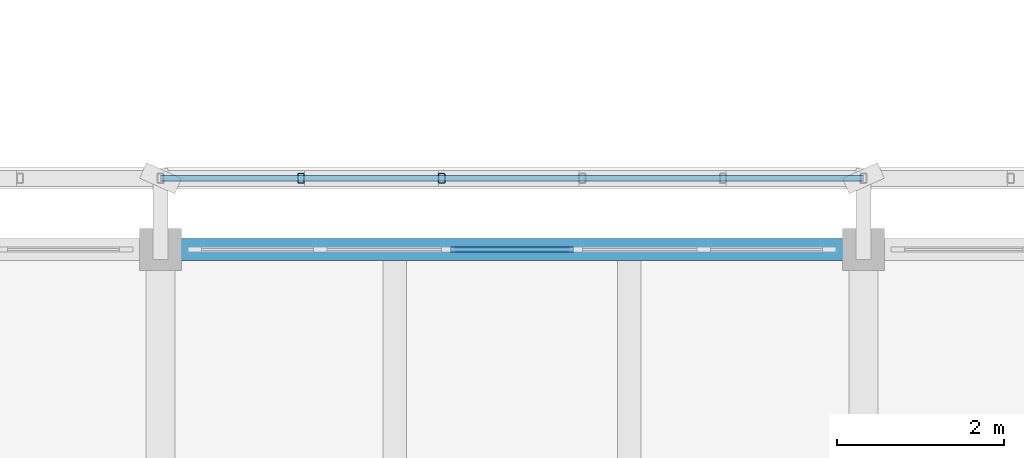
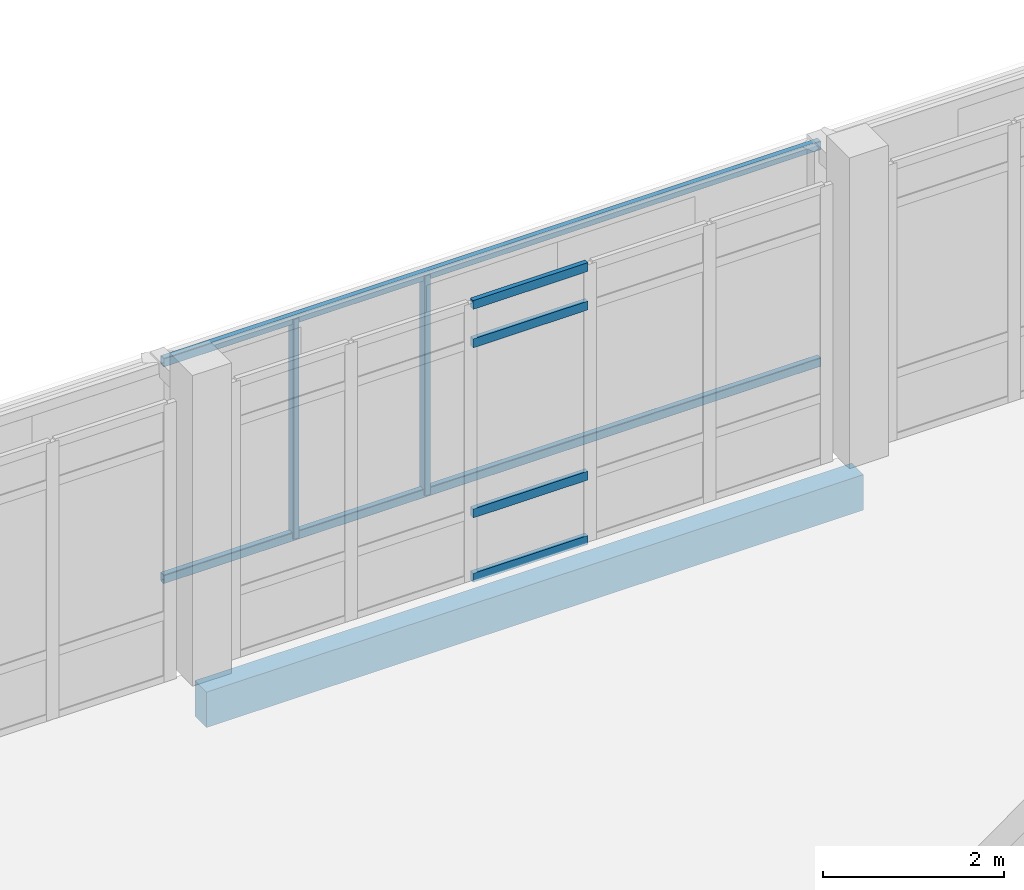
# One storey, part 14 of 137: 8 members, 1 beam, 1 element without a shape of its own.
"""IFC4 building model written with IfcOpenShell, lengths in metres."""

from ifc_helpers import new_model, si_unit, direction, frame, origin, origin_2d, place, context, subcontext, project, spatial, rectangle, hollow_rectangle, extrude, material, material_profile, profile_set, type_object, element, aggregate, save


model = new_model("IFC4")

# Units and contexts
model_context = context("Model", 3, precision=1e-05, world=origin(), true_north=direction((0.0, 1.0)))
body_context = subcontext(model_context, "Body", "Model", "MODEL_VIEW")
ifc_project = project(units=[si_unit("LENGTHUNIT", "METRE"), si_unit("AREAUNIT", "SQUARE_METRE"), si_unit("VOLUMEUNIT", "CUBIC_METRE"), si_unit("PLANEANGLEUNIT", "RADIAN"), si_unit("MASSUNIT", "GRAM", prefix="KILO")], contexts=[model_context])

# Site, building, storey
site_placement = place(None, origin())
site = spatial("IfcSite", under=ifc_project, at=site_placement, CompositionType="ELEMENT")
building_placement = place(site_placement, origin())
building = spatial("IfcBuilding", under=site, at=building_placement, Name="Cinderway Yard Community Centre", CompositionType="ELEMENT")
storey_placement = place(building_placement, frame((0.0, 0.0, 4.800048828125)))
storey = spatial("IfcBuildingStorey", under=building, at=storey_placement, Name="L01", CompositionType="ELEMENT", Elevation=4.800048828125)

# Curtain wall, members
ifc_material_1 = material(Name="Aluminium 6063-T6", Category="aluminium")
curtain_wall_type = type_object("IfcCurtainWallType", Name="ENV-CW-TYPE-26", PredefinedType="USERDEFINED", material=ifc_material_1)
curtain_wall_placement = place(storey_placement, origin())
curtain_wall = element("IfcCurtainWall", 1, at=curtain_wall_placement, inside=storey, type_object=curtain_wall_type, Name="Dining Courtyard Curtain Wall ENV-CW-L01-ST-0094", ObjectType="GLAZED CURTAIN WALL", PredefinedType="USERDEFINED")
ifc_material_profile_1 = material_profile(ifc_material_1, rectangle(XDim=0.06005859375, YDim=0.1201171875, at=origin_2d()), Name="Aluminium 6063-T6")
ifc_profile_set_1 = profile_set([ifc_material_profile_1], Name="Aluminium 6063-T6")
member_type_1 = type_object("IfcMemberType", Name="ENV-CW-TRAN-110", PredefinedType="USERDEFINED", material=ifc_profile_set_1)
member_1_placement = place(storey_placement, frame((70.26611328125, 22.800048828125, 0.030029296875), z_axis=(1.0, 0.0, 0.0), x_axis=(0.0, 1.0, 0.0)))
member_1 = element("IfcMember", 2, at=member_1_placement, type_object=member_type_1, Name="CW-26 transom 3.1", ObjectType="TRANSOM", PredefinedType="USERDEFINED", context=body_context, shape_type="SweptSolid", body=[
    extrude(rectangle(XDim=0.06005859375, YDim=0.1201171875, at=origin_2d()), origin(), (0.0, 0.0, 1.0), 1.4677734375),
])
member_2_placement = place(storey_placement, frame((70.26611328125, 22.800048828125, 0.89990234375), z_axis=(1.0, 0.0, 0.0), x_axis=(0.0, 1.0, 0.0)))
member_2 = element("IfcMember", 3, at=member_2_placement, type_object=member_type_1, Name="CW-26 transom 3.2", ObjectType="TRANSOM", PredefinedType="USERDEFINED", context=body_context, shape_type="SweptSolid", body=[
    extrude(rectangle(XDim=0.06005859375, YDim=0.1201171875, at=origin_2d()), origin(), (0.0, 0.0, 1.0), 1.4677734375),
])
member_3_placement = place(storey_placement, frame((70.26611328125, 22.800048828125, 3.199951171875), z_axis=(1.0, 0.0, 0.0), x_axis=(0.0, 1.0, 0.0)))
member_3 = element("IfcMember", 4, at=member_3_placement, type_object=member_type_1, Name="CW-26 transom 3.3", ObjectType="TRANSOM", PredefinedType="USERDEFINED", context=body_context, shape_type="SweptSolid", body=[
    extrude(rectangle(XDim=0.06005859375, YDim=0.1201171875, at=origin_2d()), origin(), (0.0, 0.0, 1.0), 1.4677734375),
])
member_4_placement = place(storey_placement, frame((70.26611328125, 22.800048828125, 3.719970703125), z_axis=(1.0, 0.0, 0.0), x_axis=(0.0, 1.0, 0.0)))
member_4 = element("IfcMember", 5, at=member_4_placement, type_object=member_type_1, Name="CW-26 transom 3.4", ObjectType="TRANSOM", PredefinedType="USERDEFINED", context=body_context, shape_type="SweptSolid", body=[
    extrude(rectangle(XDim=0.06005859375, YDim=0.1201171875, at=origin_2d()), origin(), (0.0, 0.0, 1.0), 1.4677734375),
])
aggregate(curtain_wall, [member_1, member_2, member_3, member_4])

# Members
ifc_material_2 = material(Name="Steel S355", Category="steel")
ifc_material_profile_2 = material_profile(ifc_material_2, hollow_rectangle(XDim=0.080078125, YDim=0.1201171875, WallThickness=0.00634765625, InnerFilletRadius=0.00634765625, OuterFilletRadius=0.0126953125, at=origin_2d()), Name="Steel S355")
ifc_profile_set_2 = profile_set([ifc_material_profile_2], Name="Steel S355")
member_type_2 = type_object("IfcMemberType", Name="ENV-MEM-SCREEN-RAIL-120", PredefinedType="STRINGER", material=ifc_profile_set_2)
for number, where, z_axis, x_axis, name in (
    (6, (66.800048828125, 23.64990234375, 0.7099609375), (1.0, 0.0, 0.0), (0.0, 1.0, 0.0), "Screen support rail 0602-BOT"),
    (7, (66.800048828125, 23.64990234375, 3.639892578125), (1.0, 0.0, 0.0), (0.0, 1.0, 0.0), "Screen support rail 0603-TOP"),
):
    element("IfcMember", number, at=place(storey_placement, frame(where, z_axis=z_axis, x_axis=x_axis)), inside=storey, type_object=member_type_2, Name=name, PredefinedType="STRINGER", context=body_context, shape_type="SweptSolid", body=[
        extrude(hollow_rectangle(XDim=0.080078125, YDim=0.1201171875, WallThickness=0.00634765625, InnerFilletRadius=0.00634765625, OuterFilletRadius=0.0126953125, at=origin_2d()), origin(), (0.0, 0.0, 1.0), 8.39990234375),
    ])
for number, where, z_axis, x_axis, name in (
    (8, (68.47998046875, 23.64990234375, 0.68994140625), (0.0, 0.0, 1.0), (1.0, 0.0, 0.0), "Screen vertical mullion 0604"),
    (9, (70.159912109375, 23.64990234375, 0.68994140625), (0.0, 0.0, 1.0), (1.0, 0.0, 0.0), "Screen vertical mullion 0605"),
):
    element("IfcMember", number, at=place(storey_placement, frame(where, z_axis=z_axis, x_axis=x_axis)), inside=storey, type_object=member_type_2, Name=name, PredefinedType="STRINGER", context=body_context, shape_type="SweptSolid", body=[
        extrude(hollow_rectangle(XDim=0.080078125, YDim=0.1201171875, WallThickness=0.00634765625, InnerFilletRadius=0.00634765625, OuterFilletRadius=0.0126953125, at=origin_2d()), origin(), (0.0, 0.0, 1.0), 2.969970703125),
    ])

# Beam
ifc_material_3 = material(Name="Concrete C40/50", Category="concrete")
ifc_material_profile_3 = material_profile(ifc_material_3, rectangle(XDim=0.260009765625, YDim=0.47998046875, at=origin_2d()), Name="Concrete C40/50")
ifc_profile_set_3 = profile_set([ifc_material_profile_3], Name="Concrete C40/50")
beam_type = type_object("IfcBeamType", Name="STR-BM-RC260X480", PredefinedType="SPANDREL", material=ifc_profile_set_3)
beam_placement = place(storey_placement, frame((66.800048828125, 22.800048828125, -0.47998046875), z_axis=(1.0, 0.0, 0.0), x_axis=(0.0, 1.0, 0.0)))
element("IfcBeam", 10, at=beam_placement, inside=storey, type_object=beam_type, Name="Primary girder STR-BM-L01-SP01-0126", PredefinedType="SPANDREL", context=body_context, shape_type="SweptSolid", body=[
    extrude(rectangle(XDim=0.260009765625, YDim=0.47998046875, at=origin_2d()), origin(), (0.0, 0.0, 1.0), 8.39990234375),
])

save(model, "model.ifc")
